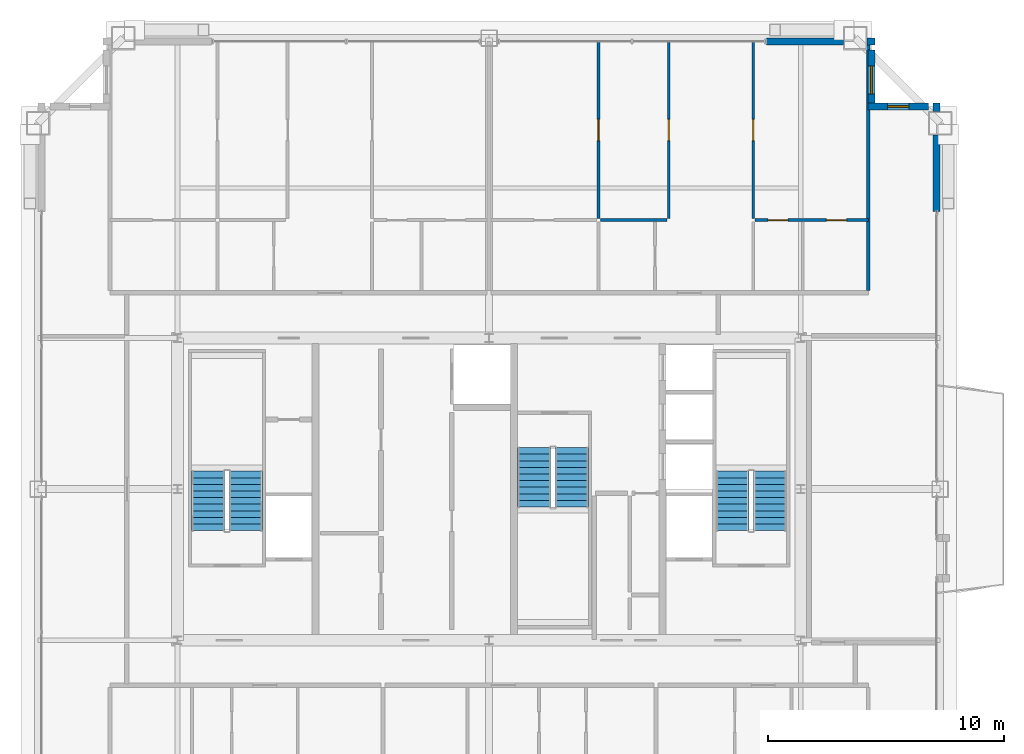
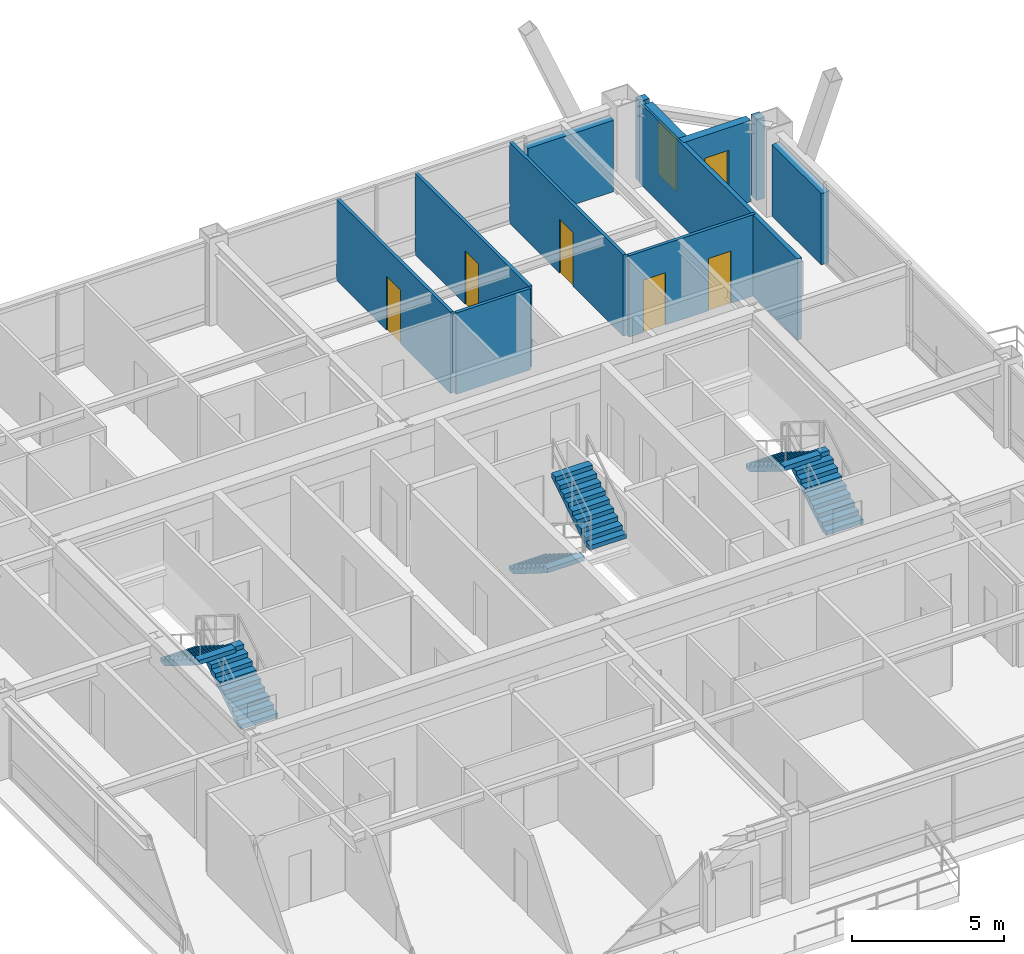
# One storey, part 34 of 35: 12 walls, 6 stair flights, 5 doors, 2 windows, 7 openings, 3 elements without a shape of their own.
"""IFC4 building model written with IfcOpenShell, lengths in metres."""

import ifcopenshell
import ifcopenshell.guid

model = None  # the IFC model being written
_history = None  # IfcOwnerHistory: only IFC2X3 demands one
_inside = {}  # id of a spatial element -> (the spatial element, [elements in it])
_under = {}  # id of a project, library or spatial element -> (it, [spatial elements below it])
_declared = {}  # id of a project -> (the project, [libraries it declares])
_typed = {}  # id of a type object -> (the type object, [elements of that type])
_made_of = {}  # id of a material, layer set ... -> (it, [elements and type objects made of it])


def new_model(schema):
    """Start an empty IFC model of exactly this schema.

    Asked for "IFC4X3", IfcOpenShell would pick the latest addendum, in which some entities
    have other attributes; the version numbers below select the first issue.
    IFC2X3 requires an IfcOwnerHistory on every rooted entity: one is made here for all.
    """
    global model, _history
    if schema == "IFC4X3":
        model = ifcopenshell.file(schema_version=(4, 3, 0, 0))
    else:
        model = ifcopenshell.file(schema=schema)
    _inside.clear()
    _under.clear()
    _declared.clear()
    _typed.clear()
    _made_of.clear()
    _history = None
    if model.schema == "IFC2X3":
        org = make("IfcOrganization", Name="unknown")
        user = make(
            "IfcPersonAndOrganization",
            ThePerson=make("IfcPerson", FamilyName="unknown"),
            TheOrganization=org,
        )
        app = make(
            "IfcApplication",
            ApplicationDeveloper=org,
            Version="unknown",
            ApplicationFullName="unknown",
            ApplicationIdentifier="unknown",
        )
        _history = make(
            "IfcOwnerHistory",
            OwningUser=user,
            OwningApplication=app,
            ChangeAction="ADDED",
            CreationDate=0,
        )
    return model


def make(cls, **values):
    """One entity of the class cls with the attributes given. An attribute that is None is left unset."""
    return model.create_entity(
        cls, **{name: value for name, value in values.items() if value is not None}
    )


def rooted(cls, **values):
    """An entity with a GlobalId (a new one), such as an element, a storey or a relation."""
    return make(cls, GlobalId=ifcopenshell.guid.new(), OwnerHistory=_history, **values)


def si_unit(unit_type, name, prefix=None):
    """IfcSIUnit, for example si_unit("LENGTHUNIT", "METRE", prefix="MILLI")."""
    return make("IfcSIUnit", UnitType=unit_type, Prefix=prefix, Name=name)


def assignment(units):
    """IfcUnitAssignment: the units of a project."""
    return None if units is None else make("IfcUnitAssignment", Units=units)


def point(xyz):
    """IfcCartesianPoint."""
    return None if xyz is None else make("IfcCartesianPoint", Coordinates=xyz)


def direction(xyz):
    """IfcDirection."""
    return None if xyz is None else make("IfcDirection", DirectionRatios=xyz)


def frame(location, z_axis=None, x_axis=None):
    """IfcAxis2Placement3D, a coordinate frame: its origin and axes. An axis left out is left unset."""
    return make(
        "IfcAxis2Placement3D",
        Location=point(location),
        Axis=direction(z_axis),
        RefDirection=direction(x_axis),
    )


def frame_2d(location, x_axis=None):
    """IfcAxis2Placement2D, a coordinate frame in the plane: its origin and x axis."""
    return make(
        "IfcAxis2Placement2D", Location=point(location), RefDirection=direction(x_axis)
    )


def origin():
    """The frame at (0, 0, 0) with its axes left unset."""
    return frame((0.0, 0.0, 0.0))


def place(relative_to, where):
    """IfcLocalPlacement: puts the frame where relative to a parent placement (None: the world)."""
    return make(
        "IfcLocalPlacement", PlacementRelTo=relative_to, RelativePlacement=where
    )


def context(
    kind, dimensions, precision=None, world=None, true_north=None, identifier=None
):
    """IfcGeometricRepresentationContext, for example the 3D "Model" context."""
    return make(
        "IfcGeometricRepresentationContext",
        ContextIdentifier=identifier,
        ContextType=kind,
        CoordinateSpaceDimension=dimensions,
        Precision=precision,
        WorldCoordinateSystem=world,
        TrueNorth=true_north,
    )


def subcontext(parent, identifier, kind, view, scale=None):
    """IfcGeometricRepresentationSubContext, for example "Body" below "Model"."""
    return make(
        "IfcGeometricRepresentationSubContext",
        ContextIdentifier=identifier,
        ContextType=kind,
        ParentContext=parent,
        TargetScale=scale,
        TargetView=view,
    )


def project(units=None, contexts=None):
    """IfcProject with its units and contexts."""
    return rooted(
        "IfcProject",
        Name="project",
        RepresentationContexts=contexts,
        UnitsInContext=assignment(units),
    )


def spatial(cls, under=None, at=None, **own):
    """A site, building, storey or space (cls), placed at a placement, below another one or the project."""
    s = rooted(cls, ObjectPlacement=at, **own)
    if under is not None:
        _under.setdefault(under.id(), (under, []))[1].append(s)
    return s


def polyline(points):
    """IfcPolyline through the points."""
    return make("IfcPolyline", Points=[point(p) for p in points])


def profile(cls, at=None, kind="AREA", **sizes):
    """A parametric profile (cls). Its sizes go by their IFC names, for example OverallWidth=200.0."""
    return make(cls, ProfileType=kind, Position=at, **sizes)


def rectangle(**sizes):
    """IfcRectangleProfileDef."""
    return profile("IfcRectangleProfileDef", **sizes)


def outline(outer, holes=None, kind="AREA"):
    """IfcArbitraryClosedProfileDef: a profile drawn as a closed curve; with holes, ...WithVoids."""
    if holes is None:
        return make("IfcArbitraryClosedProfileDef", ProfileType=kind, OuterCurve=outer)
    return make(
        "IfcArbitraryProfileDefWithVoids",
        ProfileType=kind,
        OuterCurve=outer,
        InnerCurves=holes,
    )


def extrude(swept, where, along, depth):
    """IfcExtrudedAreaSolid: the profile swept, set in the frame where, extruded along a direction by depth."""
    return make(
        "IfcExtrudedAreaSolid",
        SweptArea=swept,
        Position=where,
        ExtrudedDirection=direction(along),
        Depth=depth,
    )


def shape(context_of_items, identifier, shape_type, items):
    """IfcShapeRepresentation: the items that make up one representation, for example the "Body"."""
    return make(
        "IfcShapeRepresentation",
        ContextOfItems=context_of_items,
        RepresentationIdentifier=identifier,
        RepresentationType=shape_type,
        Items=items,
    )


def source(mapping_origin, context_of_items, identifier, shape_type, items):
    """IfcRepresentationMap: a shape defined once, which mapped items show again and again."""
    return make(
        "IfcRepresentationMap",
        MappingOrigin=mapping_origin,
        MappedRepresentation=shape(context_of_items, identifier, shape_type, items),
    )


def transform(
    local_origin,
    x_axis=None,
    y_axis=None,
    z_axis=None,
    scale=None,
    scale2=None,
    scale3=None,
    uniform=True,
):
    """IfcCartesianTransformationOperator3D, or its non-uniform kind. x_axis, y_axis, z_axis: its Axis1, 2, 3."""
    if uniform:
        return make(
            "IfcCartesianTransformationOperator3D",
            Axis1=direction(x_axis),
            Axis2=direction(y_axis),
            LocalOrigin=point(local_origin),
            Scale=scale,
            Axis3=direction(z_axis),
        )
    return make(
        "IfcCartesianTransformationOperator3DnonUniform",
        Axis1=direction(x_axis),
        Axis2=direction(y_axis),
        LocalOrigin=point(local_origin),
        Scale=scale,
        Axis3=direction(z_axis),
        Scale2=scale2,
        Scale3=scale3,
    )


def mapped(mapping_source, mapping_target):
    """IfcMappedItem: shows the shape of a source again, moved by a transform."""
    return make(
        "IfcMappedItem", MappingSource=mapping_source, MappingTarget=mapping_target
    )


def material(Name=None, Category=None):
    """IfcMaterial."""
    return make("IfcMaterial", Name=Name, Category=Category)


def layer(
    of_material, thickness, ventilated=None, Name=None, Category=None, Priority=None
):
    """IfcMaterialLayer: one layer of a wall or slab, of a material (None: an air gap)."""
    return make(
        "IfcMaterialLayer",
        Material=of_material,
        LayerThickness=thickness,
        IsVentilated=ventilated,
        Name=Name,
        Category=Category,
        Priority=Priority,
    )


def layer_set(layers, Name=None):
    """IfcMaterialLayerSet."""
    return make("IfcMaterialLayerSet", MaterialLayers=layers, LayerSetName=Name)


def made_of(thing, what):
    """Note that an element or type object is made of a material, layer set ...; save() writes the relation."""
    if what is not None:
        _made_of.setdefault(what.id(), (what, []))[1].append(thing)
    return thing


def type_object(cls, material=None, **own):
    """A type object (cls), such as IfcWallType, which elements share."""
    return made_of(rooted(cls, **own), material)


def element(
    cls,
    number,
    at=None,
    inside=None,
    cuts=None,
    type_object=None,
    material=None,
    context=None,
    identifier="Body",
    shape_type=None,
    held_by="IfcProductDefinitionShape",
    body=None,
    shapes=None,
    **own,
):
    """One element of the class cls, such as IfcWall. Its Tag is "e" and its number.

    at: its placement. inside: the storey or other place that contains it. cuts: it is an
    opening in that element (IfcRelVoidsElement). A single representation is given by context,
    identifier, shape_type and body (its items); several are given by shapes. held_by: the class
    of the entity that holds the representations. save() writes the other relations.
    """
    e = rooted(cls, Tag="e%d" % number, ObjectPlacement=at, **own)
    if body is not None:
        shapes = [shape(context, identifier, shape_type, body)]
    if shapes is not None:
        e.Representation = make(held_by, Representations=shapes)
    if inside is not None:
        _inside.setdefault(inside.id(), (inside, []))[1].append(e)
    if cuts is not None:
        rooted(
            "IfcRelVoidsElement", RelatingBuildingElement=cuts, RelatedOpeningElement=e
        )
    if type_object is not None:
        _typed.setdefault(type_object.id(), (type_object, []))[1].append(e)
    return made_of(e, material)


def fill(opening, filler):
    """IfcRelFillsElement: the door or window that sits in an opening."""
    return rooted(
        "IfcRelFillsElement",
        RelatingOpeningElement=opening,
        RelatedBuildingElement=filler,
    )


def aggregate(whole, parts):
    """IfcRelAggregates: a whole, such as a stair, and the parts it consists of."""
    return rooted("IfcRelAggregates", RelatingObject=whole, RelatedObjects=parts)


def save(model, path):
    """Write the relations noted so far, then the file.

    IfcRelAggregates (storeys below a building ...), IfcRelContainedInSpatialStructure (elements
    in a storey), IfcRelDefinesByType, IfcRelAssociatesMaterial and IfcRelDeclares: one each for
    every whole, place, type object, material and project.
    """
    for whole, parts in _under.values():
        aggregate(whole, parts)
    for where, things in _inside.values():
        rooted(
            "IfcRelContainedInSpatialStructure",
            RelatedElements=things,
            RelatingStructure=where,
        )
    for kind, things in _typed.values():
        rooted("IfcRelDefinesByType", RelatedObjects=things, RelatingType=kind)
    for what, things in _made_of.values():
        rooted("IfcRelAssociatesMaterial", RelatedObjects=things, RelatingMaterial=what)
    for by, libraries in _declared.values():
        rooted("IfcRelDeclares", RelatingContext=by, RelatedDefinitions=libraries)
    model.write(path)


model = new_model("IFC4")

# Units and contexts
model_context = context("Model", 3, precision=1e-05, world=origin(), true_north=direction((0.0, 1.0)))
body_context = subcontext(model_context, "Body", "Model", "MODEL_VIEW")
ifc_project = project(units=[si_unit("LENGTHUNIT", "METRE"), si_unit("AREAUNIT", "SQUARE_METRE"), si_unit("VOLUMEUNIT", "CUBIC_METRE"), si_unit("PLANEANGLEUNIT", "RADIAN"), si_unit("MASSUNIT", "GRAM", prefix="KILO"), si_unit("THERMODYNAMICTEMPERATUREUNIT", "KELVIN"), si_unit("POWERUNIT", "WATT")], contexts=[model_context])

# Site, building, storey
site_placement = place(None, origin())
site = spatial("IfcSite", under=ifc_project, at=site_placement, CompositionType="ELEMENT")
building_placement = place(site_placement, origin())
building = spatial("IfcBuilding", under=site, at=building_placement, Name="Yuzanri Waterfront Tower", CompositionType="ELEMENT")
storey_placement = place(building_placement, frame((0.0, 0.0, 335.699951171875)))
storey = spatial("IfcBuildingStorey", under=building, at=storey_placement, Name="L90", CompositionType="ELEMENT", Elevation=335.699951171875)

# Wall, opening, door
ifc_material_1 = material(Name="Moisture-Resistant Gypsum Stud Wall", Category="gypsum")
ifc_layer_1 = layer(ifc_material_1, 0.1201171875)
ifc_layer_set_1 = layer_set([ifc_layer_1], Name="Moisture-Resistant Gypsum Stud Wall")
wall_type_1 = type_object("IfcWallType", Name="Bathroom and Kitchen Wet Partition 120", PredefinedType="PARTITIONING", material=ifc_layer_set_1)
wall_1_placement = place(storey_placement, frame((41.634033203125, 37.27001953125, 0.0), z_axis=(0.0, 0.0, 1.0), x_axis=(0.0, 1.0, 0.0)))
wall_1 = element("IfcWall", 1, at=wall_1_placement, inside=storey, type_object=wall_type_1, Name="L90 Partition UW-L90-HN2-SUB-5-E", PredefinedType="PARTITIONING", context=body_context, shape_type="SweptSolid", body=[
    extrude(rectangle(XDim=7.47998046875, YDim=0.1201171875, at=frame_2d((3.739990234375, 0.0))), origin(), (0.0, 0.0, 1.0), 3.260009765625),
])
opening_1_placement = place(wall_1_placement, frame((3.2900390625, 0.0, 0.0)))
opening_1 = element("IfcOpeningElement", 2, at=opening_1_placement, cuts=wall_1, Name="Opening ID-0900", PredefinedType="OPENING", context=body_context, shape_type="SweptSolid", body=[
    extrude(rectangle(XDim=0.89990234375, YDim=2.14990234375, at=frame_2d((0.449951171875, 1.074951171875))), frame((0.0, 0.074951171875, 0.0), z_axis=(0.0, -1.0, 0.0), x_axis=(1.0, 0.0, 0.0)), (0.0, 0.0, 1.0), 0.14990234375),
])
ifc_material_2 = material(Name="Stained Walnut Veneer Timber", Category="wood")
door_type_1 = type_object("IfcDoorType", Name="Bedroom and Study Interior Swing Door 900x2150", OperationType="NOTDEFINED", PredefinedType="DOOR", material=ifc_material_2)
shared_shape_1 = source(origin(), body_context, "Body", "SweptSolid", [
    extrude(rectangle(XDim=0.89990234375, YDim=2.14990234375, at=frame_2d((0.449951171875, 1.074951171875))), frame((0.0, 0.02490234375, 0.0), z_axis=(0.0, -1.0, 0.0), x_axis=(1.0, 0.0, 0.0)), (0.0, 0.0, 1.0), 0.050048828125),
])
door_1_placement = place(opening_1_placement, origin())
door_1 = element("IfcDoor", 3, at=door_1_placement, inside=storey, type_object=door_type_1, Name="L90 Suite Interior Room Door", OperationType="SINGLE_SWING_LEFT", OverallHeight=2.14990234375, OverallWidth=0.89990234375, PredefinedType="DOOR", context=body_context, shape_type="MappedRepresentation", body=[
    mapped(shared_shape_1, transform((0.0, 0.0, 0.0), scale=1.0)),
])
fill(opening_1, door_1)

# Wall, openings, doors
wall_2_placement = place(storey_placement, frame((48.26611328125, 37.18994140625, 0.0), z_axis=(0.0, 0.0, 1.0), x_axis=(1.0, 0.0, 0.0)))
wall_2 = element("IfcWall", 4, at=wall_2_placement, inside=storey, type_object=wall_type_1, Name="L90 Partition UW-L90-HN2-SUB-6-S", PredefinedType="PARTITIONING", context=body_context, shape_type="SweptSolid", body=[
    extrude(rectangle(XDim=4.7939453125, YDim=0.1201171875, at=frame_2d((2.39697265625, 0.0))), origin(), (0.0, 0.0, 1.0), 3.260009765625),
])
opening_2_placement = place(wall_2_placement, frame((3.01904296875, 0.0, 0.0)))
opening_2 = element("IfcOpeningElement", 5, at=opening_2_placement, cuts=wall_2, Name="Opening ID-0850", PredefinedType="OPENING", context=body_context, shape_type="SweptSolid", body=[
    extrude(rectangle(XDim=0.85009765625, YDim=2.10009765625, at=frame_2d((0.425048828125, 1.050048828125))), frame((0.0, 0.074951171875, 0.0), z_axis=(0.0, -1.0, 0.0), x_axis=(1.0, 0.0, 0.0)), (0.0, 0.0, 1.0), 0.14990234375),
])
opening_3_placement = place(wall_2_placement, frame((0.5419921875, 0.0, 0.0)))
opening_3 = element("IfcOpeningElement", 6, at=opening_3_placement, cuts=wall_2, Name="Opening ID-0850", PredefinedType="OPENING", context=body_context, shape_type="SweptSolid", body=[
    extrude(rectangle(XDim=0.85009765625, YDim=2.10009765625, at=frame_2d((0.425048828125, 1.050048828125))), frame((0.0, 0.074951171875, 0.0), z_axis=(0.0, -1.0, 0.0), x_axis=(1.0, 0.0, 0.0)), (0.0, 0.0, 1.0), 0.14990234375),
])
ifc_material_3 = material(Name="Moisture-Resistant Lacquered Timber", Category="wood")
door_type_2 = type_object("IfcDoorType", Name="En-Suite Bathroom and Kitchen Swing Door 850x2100", OperationType="NOTDEFINED", PredefinedType="DOOR", material=ifc_material_3)
shared_shape_2 = source(origin(), body_context, "Body", "SweptSolid", [
    extrude(rectangle(XDim=0.85009765625, YDim=2.10009765625, at=frame_2d((0.425048828125, 1.050048828125))), frame((0.0, 0.02490234375, 0.0), z_axis=(0.0, -1.0, 0.0), x_axis=(1.0, 0.0, 0.0)), (0.0, 0.0, 1.0), 0.050048828125),
])
door_2_placement = place(opening_2_placement, origin())
door_2 = element("IfcDoor", 7, at=door_2_placement, inside=storey, type_object=door_type_2, Name="L90 Suite Interior Room Door", OperationType="SINGLE_SWING_LEFT", OverallHeight=2.10009765625, OverallWidth=0.85009765625, PredefinedType="DOOR", context=body_context, shape_type="MappedRepresentation", body=[
    mapped(shared_shape_2, transform((0.0, 0.0, 0.0), scale=1.0)),
])
fill(opening_2, door_2)
door_3_placement = place(opening_3_placement, origin())
door_3 = element("IfcDoor", 8, at=door_3_placement, inside=storey, type_object=door_type_2, Name="L90 Suite Interior Room Door", OperationType="SINGLE_SWING_RIGHT", OverallHeight=2.10009765625, OverallWidth=0.85009765625, PredefinedType="DOOR", context=body_context, shape_type="MappedRepresentation", body=[
    mapped(shared_shape_2, transform((0.0, 0.0, 0.0), scale=1.0)),
])
fill(opening_3, door_3)

# Wall, opening, door
wall_3_placement = place(storey_placement, frame((48.18603515625, 37.27001953125, 0.0), z_axis=(0.0, 0.0, 1.0), x_axis=(0.0, 1.0, 0.0)))
wall_3 = element("IfcWall", 9, at=wall_3_placement, inside=storey, type_object=wall_type_1, Name="L90 Partition UW-L90-HN2-SUB-6-W", PredefinedType="PARTITIONING", context=body_context, shape_type="SweptSolid", body=[
    extrude(rectangle(XDim=7.47998046875, YDim=0.1201171875, at=frame_2d((3.739990234375, 0.0))), origin(), (0.0, 0.0, 1.0), 3.260009765625),
])
opening_4_placement = place(wall_3_placement, frame((3.2900390625, 0.0, 0.0)))
opening_4 = element("IfcOpeningElement", 10, at=opening_4_placement, cuts=wall_3, Name="Opening ID-0900", PredefinedType="OPENING", context=body_context, shape_type="SweptSolid", body=[
    extrude(rectangle(XDim=0.89990234375, YDim=2.14990234375, at=frame_2d((0.449951171875, 1.074951171875))), frame((0.0, 0.074951171875, 0.0), z_axis=(0.0, -1.0, 0.0), x_axis=(1.0, 0.0, 0.0)), (0.0, 0.0, 1.0), 0.14990234375),
])
door_4_placement = place(opening_4_placement, origin())
door_4 = element("IfcDoor", 11, at=door_4_placement, inside=storey, type_object=door_type_1, Name="L90 Suite Interior Room Door", OperationType="SINGLE_SWING_RIGHT", OverallHeight=2.14990234375, OverallWidth=0.89990234375, PredefinedType="DOOR", context=body_context, shape_type="MappedRepresentation", body=[
    mapped(shared_shape_1, transform((0.0, 0.0, 0.0), scale=1.0)),
])
fill(opening_4, door_4)

wall_4_placement = place(storey_placement, frame((44.60595703125, 37.27001953125, 0.0), z_axis=(0.0, 0.0, 1.0), x_axis=(0.0, 1.0, 0.0)))
wall_4 = element("IfcWall", 12, at=wall_4_placement, inside=storey, type_object=wall_type_1, Name="L90 Partition UW-L90-HN2-SUB-7-E", PredefinedType="PARTITIONING", context=body_context, shape_type="SweptSolid", body=[
    extrude(rectangle(XDim=7.47998046875, YDim=0.1201171875, at=frame_2d((3.739990234375, 0.0))), origin(), (0.0, 0.0, 1.0), 3.260009765625),
])
opening_5_placement = place(wall_4_placement, frame((3.2900390625, 0.0, 0.0)))
opening_5 = element("IfcOpeningElement", 13, at=opening_5_placement, cuts=wall_4, Name="Opening ID-0900", PredefinedType="OPENING", context=body_context, shape_type="SweptSolid", body=[
    extrude(rectangle(XDim=0.89990234375, YDim=2.14990234375, at=frame_2d((0.449951171875, 1.074951171875))), frame((0.0, 0.074951171875, 0.0), z_axis=(0.0, -1.0, 0.0), x_axis=(1.0, 0.0, 0.0)), (0.0, 0.0, 1.0), 0.14990234375),
])
door_5_placement = place(opening_5_placement, origin())
door_5 = element("IfcDoor", 14, at=door_5_placement, inside=storey, type_object=door_type_1, Name="L90 Suite Interior Room Door", OperationType="SINGLE_SWING_LEFT", OverallHeight=2.14990234375, OverallWidth=0.89990234375, PredefinedType="DOOR", context=body_context, shape_type="MappedRepresentation", body=[
    mapped(shared_shape_1, transform((0.0, 0.0, 0.0), scale=1.0)),
])
fill(opening_5, door_5)

# Wall, opening, window
ifc_material_4 = material(Name="Honed Chongqing Dark Basalt Stone", Category="masonry")
ifc_layer_2 = layer(ifc_material_4, 0.300048828125)
ifc_layer_set_2 = layer_set([ifc_layer_2], Name="Honed Chongqing Dark Basalt Stone")
wall_type_2 = type_object("IfcWallType", Name="Bronze Rainscreen Insulated Spandrel Portal Wall 300", PredefinedType="SOLIDWALL", material=ifc_layer_set_2)
wall_5_placement = place(storey_placement, frame((55.60009765625, 42.0, 0.0), z_axis=(0.0, 0.0, 1.0), x_axis=(-1.0, 0.0, 0.0)))
wall_5 = element("IfcWall", 15, at=wall_5_placement, inside=storey, type_object=wall_type_2, Name="L90 Notched Corner Masonry Wall NE-X", PredefinedType="SOLIDWALL", context=body_context, shape_type="SweptSolid", body=[
    extrude(rectangle(XDim=2.550048828125, YDim=0.300048828125, at=frame_2d((1.27490234375, 0.0))), origin(), (0.0, 0.0, 1.0), 3.260009765625),
])
opening_6_placement = place(wall_5_placement, frame((0.824951171875, 0.0, 0.85009765625)))
opening_6 = element("IfcOpeningElement", 16, at=opening_6_placement, cuts=wall_5, Name="Opening WN-05", PredefinedType="OPENING", context=body_context, shape_type="SweptSolid", body=[
    extrude(rectangle(XDim=0.89990234375, YDim=1.5, at=frame_2d((0.449951171875, 0.75))), frame((0.0, 0.1650390625, 0.0), z_axis=(0.0, -1.0, 0.0), x_axis=(1.0, 0.0, 0.0)), (0.0, 0.0, 1.0), 0.329833984375),
])
ifc_material_5 = material(Name="Double-Silver Low-E Insulated Glass", Category="glass")
window_type_1 = type_object("IfcWindowType", Name="Anodized Bronze Service and Stairwell Smoke-Vent Window 900x1500", PartitioningType="SINGLE_PANEL", PredefinedType="WINDOW", material=ifc_material_5)
shared_shape_3 = source(origin(), body_context, "Body", "SweptSolid", [
    extrude(rectangle(XDim=0.89990234375, YDim=1.5, at=frame_2d((0.449951171875, 0.75))), frame((0.0, 0.030029296875, 0.0), z_axis=(0.0, -1.0, 0.0), x_axis=(1.0, 0.0, 0.0)), (0.0, 0.0, 1.0), 0.06005859375),
])
window_1_placement = place(opening_6_placement, origin())
window_1 = element("IfcWindow", 17, at=window_1_placement, inside=storey, type_object=window_type_1, Name="L90 Notched Corner Window NE-X", OverallHeight=1.5, OverallWidth=0.89990234375, PartitioningType="SINGLE_PANEL", PredefinedType="WINDOW", context=body_context, shape_type="MappedRepresentation", body=[
    mapped(shared_shape_3, transform((0.0, 0.0, 0.0), scale=1.0)),
])
fill(opening_6, window_1)

wall_6_placement = place(storey_placement, frame((53.199951171875, 41.85009765625, 0.0), z_axis=(0.0, 0.0, 1.0), x_axis=(0.0, 1.0, 0.0)))
wall_6 = element("IfcWall", 18, at=wall_6_placement, inside=storey, type_object=wall_type_2, Name="L90 Notched Corner Masonry Wall NE-Y", PredefinedType="SOLIDWALL", context=body_context, shape_type="SweptSolid", body=[
    extrude(rectangle(XDim=2.5498046875, YDim=0.300048828125, at=frame_2d((1.27490234375, 0.0))), origin(), (0.0, 0.0, 1.0), 3.260009765625),
])
opening_7_placement = place(wall_6_placement, frame((0.675048828125, 0.0, 0.85009765625)))
opening_7 = element("IfcOpeningElement", 19, at=opening_7_placement, cuts=wall_6, Name="Opening WN-02", PredefinedType="OPENING", context=body_context, shape_type="SweptSolid", body=[
    extrude(rectangle(XDim=1.199951171875, YDim=2.10009765625, at=frame_2d((0.60009765625, 1.050048828125))), frame((0.0, 0.1650390625, 0.0), z_axis=(0.0, -1.0, 0.0), x_axis=(1.0, 0.0, 0.0)), (0.0, 0.0, 1.0), 0.329833984375),
])
ifc_material_6 = material(Name="Double-Silver Low-E Insulated Glass", Category="glass")
window_type_2 = type_object("IfcWindowType", Name="Anodized Bronze Notched Corner Deep-Set Slot Window 1200x2100", PartitioningType="SINGLE_PANEL", PredefinedType="WINDOW", material=ifc_material_6)
shared_shape_4 = source(origin(), body_context, "Body", "SweptSolid", [
    extrude(rectangle(XDim=1.199951171875, YDim=2.10009765625, at=frame_2d((0.60009765625, 1.050048828125))), frame((0.0, 0.030029296875, 0.0), z_axis=(0.0, -1.0, 0.0), x_axis=(1.0, 0.0, 0.0)), (0.0, 0.0, 1.0), 0.06005859375),
])
window_2_placement = place(opening_7_placement, origin())
window_2 = element("IfcWindow", 20, at=window_2_placement, inside=storey, type_object=window_type_2, Name="L90 Notched Corner Window NE-Y", OverallHeight=2.10009765625, OverallWidth=1.199951171875, PartitioningType="SINGLE_PANEL", PredefinedType="WINDOW", context=body_context, shape_type="MappedRepresentation", body=[
    mapped(shared_shape_4, transform((0.0, 0.0, 0.0), scale=1.0)),
])
fill(opening_7, window_2)

# Walls
shared_shape_5 = source(origin(), body_context, "Body", "SweptSolid", [
    extrude(rectangle(XDim=0.35009765625, YDim=0.300048828125, at=frame_2d((0.175048828125, 0.0))), origin(), (0.0, 0.0, 1.0), 3.260009765625),
])
wall_7_placement = place(storey_placement, frame((53.0, 44.75, 0.0), z_axis=(0.0, 0.0, 1.0), x_axis=(1.0, 0.0, 0.0)))
element("IfcWall", 21, at=wall_7_placement, inside=storey, type_object=wall_type_2, Name="L90 Corner Column Shoulder Return CNE", PredefinedType="SOLIDWALL", context=body_context, shape_type="MappedRepresentation", body=[
    mapped(shared_shape_5, transform((0.0, 0.0, 0.0), scale=1.0)),
])
shared_shape_6 = source(origin(), body_context, "Body", "SweptSolid", [
    extrude(rectangle(XDim=0.349853515625, YDim=0.300048828125, at=frame_2d((0.1748046875, 0.0))), origin(), (0.0, 0.0, 1.0), 3.260009765625),
])
wall_8_placement = place(storey_placement, frame((55.949951171875, 41.800048828125, 0.0), z_axis=(0.0, 0.0, 1.0), x_axis=(0.0, 1.0, 0.0)))
element("IfcWall", 22, at=wall_8_placement, inside=storey, type_object=wall_type_2, Name="L90 Corner Column Shoulder Return CEN", PredefinedType="SOLIDWALL", context=body_context, shape_type="MappedRepresentation", body=[
    mapped(shared_shape_6, transform((0.0, 0.0, 0.0), scale=1.0)),
])
shared_shape_7 = source(origin(), body_context, "Body", "SweptSolid", [
    extrude(rectangle(XDim=3.25, YDim=0.300048828125, at=frame_2d((1.625, 0.0))), origin(), (0.0, 0.0, 1.0), 2.864990234375),
])
for number, where, z_axis, x_axis, name in (
    (23, (48.75, 44.75, 0.0), (0.0, 0.0, 1.0), (1.0, 0.0, 0.0), "L90 N Right Braced Masonry Shoulder"),
    (24, (55.949951171875, 37.550048828125, 0.0), (0.0, 0.0, 1.0), (0.0, 1.0, 0.0), "L90 E Right Braced Masonry Shoulder"),
):
    element("IfcWall", number, at=place(storey_placement, frame(where, z_axis=z_axis, x_axis=x_axis)), inside=storey, type_object=wall_type_2, Name=name, PredefinedType="SOLIDWALL", context=body_context, shape_type="MappedRepresentation", body=[
        mapped(shared_shape_7, transform((0.0, 0.0, 0.0), scale=1.0)),
    ])
ifc_material_7 = material(Name="Gypsum Fireboard Acoustic Stud Wall", Category="gypsum")
ifc_layer_3 = layer(ifc_material_7, 0.159912109375)
ifc_layer_set_3 = layer_set([ifc_layer_3], Name="Gypsum Fireboard Acoustic Stud Wall")
wall_type_3 = type_object("IfcWallType", Name="Acoustic Suite Demising Partition 160", PredefinedType="PARTITIONING", material=ifc_layer_set_3)
shared_shape_8 = source(origin(), body_context, "Body", "SweptSolid", [
    extrude(rectangle(XDim=10.39013671875, YDim=0.159912109375, at=frame_2d((5.195068359375, 0.0))), origin(), (0.0, 0.0, 1.0), 3.260009765625),
])
wall_9_placement = place(storey_placement, frame((53.050048828125, 34.2099609375, 0.0), z_axis=(0.0, 0.0, 1.0), x_axis=(0.0, 1.0, 0.0)))
element("IfcWall", 25, at=wall_9_placement, inside=storey, type_object=wall_type_3, Name="L90 North Band East End Wall", PredefinedType="PARTITIONING", context=body_context, shape_type="MappedRepresentation", body=[
    mapped(shared_shape_8, transform((0.0, 0.0, 0.0), scale=1.0)),
])
shared_shape_9 = source(origin(), body_context, "Body", "SweptSolid", [
    extrude(rectangle(XDim=2.811767578125, YDim=0.1201171875, at=frame_2d((1.40576171875, 0.0))), origin(), (0.0, 0.0, 1.0), 3.260009765625),
])
wall_10_placement = place(storey_placement, frame((41.714111328125, 37.18994140625, 0.0), z_axis=(0.0, 0.0, 1.0), x_axis=(1.0, 0.0, 0.0)))
element("IfcWall", 26, at=wall_10_placement, inside=storey, type_object=wall_type_1, Name="L90 Partition UW-L90-HN2-SUB-7-S", PredefinedType="PARTITIONING", context=body_context, shape_type="MappedRepresentation", body=[
    mapped(shared_shape_9, transform((0.0, 0.0, 0.0), scale=1.0)),
])

# Stair, stair flights
ifc_material_8 = material(Name="Concrete C40", Category="concrete")
stair_type = type_object("IfcStairType", Name="Concrete C40 Core Dogleg Exit Stair", PredefinedType="HALF_TURN_STAIR", material=ifc_material_8)
stair_1_placement = place(storey_placement, origin())
stair_1 = element("IfcStair", 27, at=stair_1_placement, inside=storey, type_object=stair_type, Name="L90 Smoke-Proof Core Stair ST-01", PredefinedType="HALF_TURN_STAIR")
ifc_material_9 = material(Name="Concrete C40", Category="concrete")
stair_flight_type = type_object("IfcStairFlightType", Name="Concrete C40 Precast Stair Flight 1380", PredefinedType="STRAIGHT", material=ifc_material_9)
shared_shape_10 = source(origin(), body_context, "Body", "SweptSolid", [
    extrude(outline(polyline([(0.0, 0.0), (0.0, 0.175048828125), (0.280029296875, 0.175048828125), (0.280029296875, 0.35009765625), (0.56005859375, 0.35009765625), (0.56005859375, 0.52490234375), (0.840087890625, 0.52490234375), (0.840087890625, 0.699951171875), (1.1201171875, 0.699951171875), (1.1201171875, 0.875), (1.39990234375, 0.875), (1.39990234375, 1.050048828125), (1.679931640625, 1.050048828125), (1.679931640625, 1.22509765625), (1.9599609375, 1.22509765625), (1.9599609375, 1.39990234375), (2.239990234375, 1.39990234375), (2.239990234375, 1.574951171875), (2.52001953125, 1.574951171875), (2.52001953125, 1.75), (2.52001953125, 1.398193359375), (0.28271484375, 0.0), (0.0, 0.0)])), frame((0.0, 0.699951171875, 0.0), z_axis=(0.0, -1.0, 0.0), x_axis=(1.0, 0.0, 0.0)), (0.0, 0.0, 1.0), 1.39990234375),
])
stair_flight_1_placement = place(storey_placement, frame((26.699951171875, 24.0400390625, 0.0), z_axis=(0.0, 0.0, 1.0), x_axis=(0.0, 1.0, 0.0)))
stair_flight_1 = element("IfcStairFlight", 28, at=stair_flight_1_placement, type_object=stair_flight_type, Name="ST-01 flight 1", NumberOfRisers=10, NumberOfTreads=9, PredefinedType="STRAIGHT", RiserHeight=0.175, TreadLength=0.28, context=body_context, shape_type="MappedRepresentation", body=[
    mapped(shared_shape_10, transform((0.0, 0.0, 0.0), scale=1.0)),
])
stair_flight_2_placement = place(storey_placement, frame((25.10009765625, 26.56005859375, 1.75), z_axis=(0.0, 0.0, 1.0), x_axis=(0.0, -1.0, 0.0)))
stair_flight_2 = element("IfcStairFlight", 29, at=stair_flight_2_placement, type_object=stair_flight_type, Name="ST-01 flight 2", NumberOfRisers=10, NumberOfTreads=9, PredefinedType="STRAIGHT", RiserHeight=0.175, TreadLength=0.28, context=body_context, shape_type="MappedRepresentation", body=[
    mapped(shared_shape_10, transform((0.0, 0.0, 0.0), scale=1.0)),
])
aggregate(stair_1, [stair_flight_1, stair_flight_2])

stair_2_placement = place(storey_placement, origin())
stair_2 = element("IfcStair", 30, at=stair_2_placement, inside=storey, type_object=stair_type, Name="L90 Smoke-Proof Core Stair ST-02", PredefinedType="HALF_TURN_STAIR")
stair_flight_3_placement = place(storey_placement, frame((48.89990234375, 24.0400390625, 0.0), z_axis=(0.0, 0.0, 1.0), x_axis=(0.0, 1.0, 0.0)))
stair_flight_3 = element("IfcStairFlight", 31, at=stair_flight_3_placement, type_object=stair_flight_type, Name="ST-02 flight 1", NumberOfRisers=10, NumberOfTreads=9, PredefinedType="STRAIGHT", RiserHeight=0.175, TreadLength=0.28, context=body_context, shape_type="MappedRepresentation", body=[
    mapped(shared_shape_10, transform((0.0, 0.0, 0.0), scale=1.0)),
])
stair_flight_4_placement = place(storey_placement, frame((47.300048828125, 26.56005859375, 1.75), z_axis=(0.0, 0.0, 1.0), x_axis=(0.0, -1.0, 0.0)))
stair_flight_4 = element("IfcStairFlight", 32, at=stair_flight_4_placement, type_object=stair_flight_type, Name="ST-02 flight 2", NumberOfRisers=10, NumberOfTreads=9, PredefinedType="STRAIGHT", RiserHeight=0.175, TreadLength=0.28, context=body_context, shape_type="MappedRepresentation", body=[
    mapped(shared_shape_10, transform((0.0, 0.0, 0.0), scale=1.0)),
])
aggregate(stair_2, [stair_flight_3, stair_flight_4])

stair_3_placement = place(storey_placement, origin())
stair_3 = element("IfcStair", 33, at=stair_3_placement, inside=storey, type_object=stair_type, Name="L90 Smoke-Proof Core Stair ST-03", PredefinedType="HALF_TURN_STAIR")
stair_flight_5_placement = place(storey_placement, frame((38.89990234375, 27.56005859375, 0.0), z_axis=(0.0, 0.0, 1.0), x_axis=(0.0, -1.0, 0.0)))
stair_flight_5 = element("IfcStairFlight", 34, at=stair_flight_5_placement, type_object=stair_flight_type, Name="ST-03 flight 1", NumberOfRisers=10, NumberOfTreads=9, PredefinedType="STRAIGHT", RiserHeight=0.175, TreadLength=0.28, context=body_context, shape_type="MappedRepresentation", body=[
    mapped(shared_shape_10, transform((0.0, 0.0, 0.0), scale=1.0)),
])
stair_flight_6_placement = place(storey_placement, frame((40.5, 25.0400390625, 1.75), z_axis=(0.0, 0.0, 1.0), x_axis=(0.0, 1.0, 0.0)))
stair_flight_6 = element("IfcStairFlight", 35, at=stair_flight_6_placement, type_object=stair_flight_type, Name="ST-03 flight 2", NumberOfRisers=10, NumberOfTreads=9, PredefinedType="STRAIGHT", RiserHeight=0.175, TreadLength=0.28, context=body_context, shape_type="MappedRepresentation", body=[
    mapped(shared_shape_10, transform((0.0, 0.0, 0.0), scale=1.0)),
])
aggregate(stair_3, [stair_flight_5, stair_flight_6])

save(model, "model.ifc")
